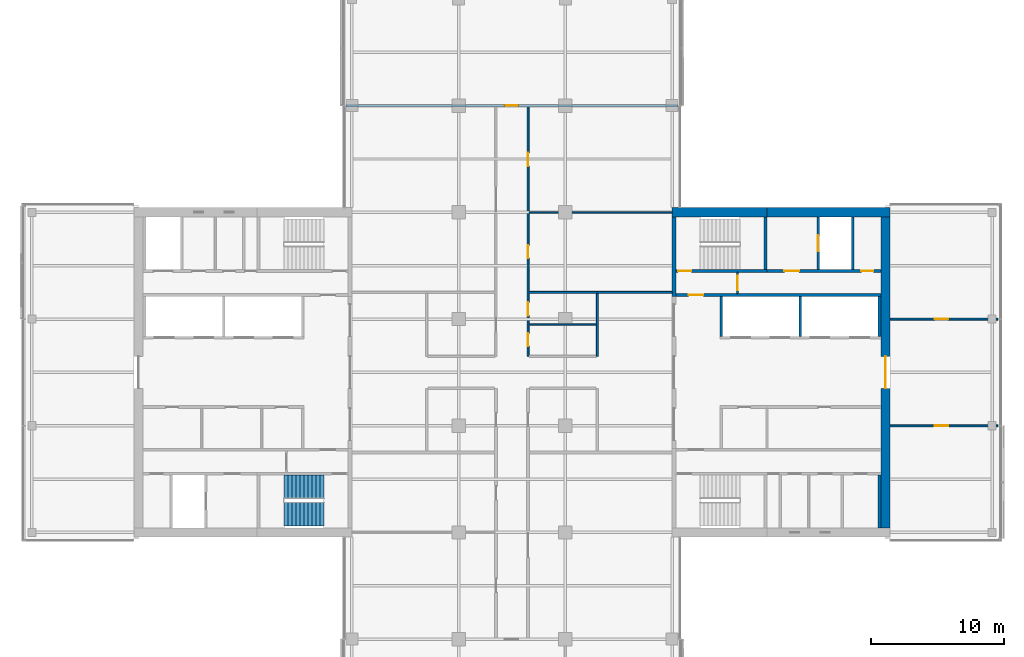
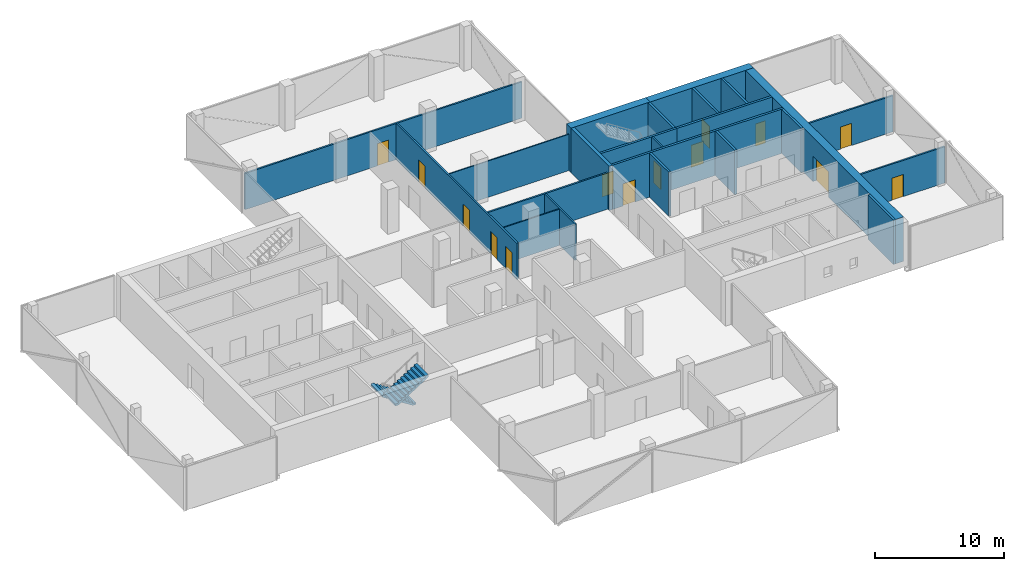
# One storey, part 16 of 22: 23 walls, 14 doors, 2 stair flights, 14 openings, 1 element without a shape of its own.
"""IFC4 building model written with IfcOpenShell, lengths in metres."""

from ifc_helpers import new_model, si_unit, direction, frame, frame_2d, origin, place, context, subcontext, project, spatial, polyline, rectangle, outline, extrude, material, layer, layer_set, constituent, constituent_set, type_object, element, fill, aggregate, save


model = new_model("IFC4")

# Units and contexts
model_context = context("Model", 3, precision=1e-05, world=origin(), true_north=direction((0.0, 1.0)))
body_context = subcontext(model_context, "Body", "Model", "MODEL_VIEW")
ifc_project = project(units=[si_unit("LENGTHUNIT", "METRE"), si_unit("AREAUNIT", "SQUARE_METRE"), si_unit("VOLUMEUNIT", "CUBIC_METRE"), si_unit("PLANEANGLEUNIT", "RADIAN"), si_unit("MASSUNIT", "GRAM", prefix="KILO")], contexts=[model_context])

# Site, building, storey
site_placement = place(None, origin())
site = spatial("IfcSite", under=ifc_project, at=site_placement, CompositionType="ELEMENT")
building_placement = place(site_placement, origin())
building = spatial("IfcBuilding", under=site, at=building_placement, Name="Crosswind Convention Tower", CompositionType="ELEMENT")
storey_placement = place(building_placement, frame((0.0, 0.0, 142.10009765625)))
storey = spatial("IfcBuildingStorey", under=building, at=storey_placement, Name="L29", CompositionType="ELEMENT", Elevation=142.10009765625)

# Wall, opening, door
ifc_material_1 = material(Name="Concrete C60/75", Category="concrete")
ifc_layer_1 = layer(ifc_material_1, 0.699951171875)
ifc_layer_set_1 = layer_set([ifc_layer_1], Name="Concrete C60/75")
wall_type_1 = type_object("IfcWallType", Name="Concrete core wall 700", PredefinedType="SHEAR", material=ifc_layer_set_1)
wall_1_placement = place(storey_placement, frame((153.0, 88.35009765625, 0.0), z_axis=(0.0, 0.0, 1.0), x_axis=(0.0, 1.0, 0.0)))
wall_1 = element("IfcWall", 1, at=wall_1_placement, inside=storey, type_object=wall_type_1, Name="Wall O E L29", PredefinedType="SHEAR", context=body_context, shape_type="SweptSolid", body=[
    extrude(rectangle(XDim=23.2998046875, YDim=0.699951171875, at=frame_2d((11.64990234375, 0.0))), origin(), (0.0, 0.0, 1.0), 4.199951171875),
])
opening_1_placement = place(wall_1_placement, frame((10.449951171875, 0.0, 0.0)))
opening_1 = element("IfcOpeningElement", 2, at=opening_1_placement, cuts=wall_1, Name="Opening D100", PredefinedType="OPENING", context=body_context, shape_type="SweptSolid", body=[
    extrude(rectangle(XDim=2.39990234375, YDim=2.39990234375, at=frame_2d((1.199951171875, 1.199951171875))), frame((0.0, 0.35986328125, 0.0), z_axis=(0.0, -1.0, 0.0), x_axis=(1.0, 0.0, 0.0)), (0.0, 0.0, 1.0), 0.719970703125),
])
ifc_material_2 = material(Name="Steel fire door with glazed vision panels", Category="steel")
door_type_1 = type_object("IfcDoorType", Name="Fire-rated double door 2400x2400", OperationType="DOUBLE_DOOR_SINGLE_SWING", PredefinedType="DOOR", material=ifc_material_2)
door_1_placement = place(opening_1_placement, origin())
door_1 = element("IfcDoor", 3, at=door_1_placement, inside=storey, type_object=door_type_1, Name="Lobby outer door L29", ObjectType="D100", OperationType="DOUBLE_DOOR_SINGLE_SWING", OverallHeight=2.39990234375, OverallWidth=2.39990234375, PredefinedType="DOOR", context=body_context, shape_type="SweptSolid", body=[
    extrude(rectangle(XDim=2.39990234375, YDim=2.39990234375, at=frame_2d((1.199951171875, 1.199951171875))), frame((0.0, 0.02490234375, 0.0), z_axis=(0.0, -1.0, 0.0), x_axis=(1.0, 0.0, 0.0)), (0.0, 0.0, 1.0), 0.050048828125),
])
fill(opening_1, door_1)

# Walls
ifc_material_3 = material(Name="Concrete C50/60", Category="concrete")
ifc_layer_2 = layer(ifc_material_3, 0.300048828125)
ifc_layer_set_2 = layer_set([ifc_layer_2], Name="Concrete C50/60")
wall_type_2 = type_object("IfcWallType", Name="Concrete inner core wall 300", PredefinedType="SHEAR", material=ifc_layer_set_2)
wall_2_placement = place(storey_placement, frame((137.14990234375, 105.699951171875, 0.0), z_axis=(0.0, 0.0, 1.0), x_axis=(0.0, 1.0, 0.0)))
element("IfcWall", 4, at=wall_2_placement, inside=storey, type_object=wall_type_2, Name="Wall EP E L29", PredefinedType="SHEAR", context=body_context, shape_type="SweptSolid", body=[
    extrude(rectangle(XDim=5.949951171875, YDim=0.300048828125, at=frame_2d((2.97509765625, 0.0))), origin(), (0.0, 0.0, 1.0), 4.199951171875),
])
ifc_layer_3 = layer(ifc_material_3, 0.199951171875)
ifc_layer_set_3 = layer_set([ifc_layer_3], Name="Concrete C50/60")
wall_type_3 = type_object("IfcWallType", Name="Concrete shaft and stair wall 200", PredefinedType="SHEAR", material=ifc_layer_set_3)
for number, where, z_axis, x_axis, name in (
    (5, (140.699951171875, 102.699951171875, 0.0), (0.0, 0.0, 1.0), (0.0, 1.0, 0.0), "Wall RPEND E L29"),
    (6, (146.60009765625, 102.699951171875, 0.0), (0.0, 0.0, 1.0), (0.0, 1.0, 0.0), "Wall RPSEP E L29"),
    (7, (152.550048828125, 102.699951171875, 0.0), (0.0, 0.0, 1.0), (0.0, 1.0, 0.0), "Wall RPEAST E L29"),
):
    element("IfcWall", number, at=place(storey_placement, frame(where, z_axis=z_axis, x_axis=x_axis)), inside=storey, type_object=wall_type_3, Name=name, PredefinedType="SHEAR", context=body_context, shape_type="SweptSolid", body=[
        extrude(rectangle(XDim=3.0, YDim=0.199951171875, at=frame_2d((1.5, 0.0))), origin(), (0.0, 0.0, 1.0), 4.199951171875),
    ])

# Wall, opening, door
wall_3_placement = place(storey_placement, frame((137.300048828125, 105.800048828125, 0.0), z_axis=(0.0, 0.0, 1.0), x_axis=(1.0, 0.0, 0.0)))
wall_3 = element("IfcWall", 8, at=wall_3_placement, inside=storey, type_object=wall_type_3, Name="Wall HP E L29", PredefinedType="SHEAR", context=body_context, shape_type="SweptSolid", body=[
    extrude(rectangle(XDim=15.349853515625, YDim=0.199951171875, at=frame_2d((7.6748046875, 0.0))), origin(), (0.0, 0.0, 1.0), 4.199951171875),
])
opening_2_placement = place(wall_3_placement, frame((0.949951171875, 0.0, 0.0)))
opening_2 = element("IfcOpeningElement", 9, at=opening_2_placement, cuts=wall_3, Name="Opening D104", PredefinedType="OPENING", context=body_context, shape_type="SweptSolid", body=[
    extrude(rectangle(XDim=1.10009765625, YDim=2.10009765625, at=frame_2d((0.550048828125, 1.050048828125))), frame((0.0, 0.10986328125, 0.0), z_axis=(0.0, -1.0, 0.0), x_axis=(1.0, 0.0, 0.0)), (0.0, 0.0, 1.0), 0.219970703125),
])
ifc_material_4 = material(Name="Steel fire door", Category="steel")
door_type_2 = type_object("IfcDoorType", Name="Fire-rated single door 1100x2100", OperationType="NOTDEFINED", PredefinedType="DOOR", material=ifc_material_4)
door_2_placement = place(opening_2_placement, origin())
door_2 = element("IfcDoor", 10, at=door_2_placement, inside=storey, type_object=door_type_2, Name="Corridor door L29", ObjectType="D104", OperationType="SINGLE_SWING_LEFT", OverallHeight=2.10009765625, OverallWidth=1.10009765625, PredefinedType="DOOR", context=body_context, shape_type="SweptSolid", body=[
    extrude(rectangle(XDim=1.10009765625, YDim=2.10009765625, at=frame_2d((0.550048828125, 1.050048828125))), frame((0.0, 0.02490234375, 0.0), z_axis=(0.0, -1.0, 0.0), x_axis=(1.0, 0.0, 0.0)), (0.0, 0.0, 1.0), 0.050048828125),
])
fill(opening_2, door_2)

# Wall
wall_4_placement = place(storey_placement, frame((144.0, 107.699951171875, 0.0), z_axis=(0.0, 0.0, 1.0), x_axis=(0.0, 1.0, 0.0)))
element("IfcWall", 11, at=wall_4_placement, inside=storey, type_object=wall_type_3, Name="Wall PSE E L29", PredefinedType="SHEAR", context=body_context, shape_type="SweptSolid", body=[
    extrude(rectangle(XDim=3.949951171875, YDim=0.199951171875, at=frame_2d((1.97509765625, 0.0))), origin(), (0.0, 0.0, 1.0), 4.199951171875),
])

# Wall, opening, door
wall_5_placement = place(storey_placement, frame((147.949951171875, 107.699951171875, 0.0), z_axis=(0.0, 0.0, 1.0), x_axis=(0.0, 1.0, 0.0)))
wall_5 = element("IfcWall", 12, at=wall_5_placement, inside=storey, type_object=wall_type_3, Name="Wall PFLW E L29", PredefinedType="SHEAR", context=body_context, shape_type="SweptSolid", body=[
    extrude(rectangle(XDim=3.949951171875, YDim=0.199951171875, at=frame_2d((1.97509765625, 0.0))), origin(), (0.0, 0.0, 1.0), 4.199951171875),
])
opening_3_placement = place(wall_5_placement, frame((1.375, 0.0, 0.0)))
opening_3 = element("IfcOpeningElement", 13, at=opening_3_placement, cuts=wall_5, Name="Opening LD1", PredefinedType="OPENING", context=body_context, shape_type="SweptSolid", body=[
    extrude(rectangle(XDim=1.199951171875, YDim=2.10009765625, at=frame_2d((0.60009765625, 1.050048828125))), frame((0.0, 0.10986328125, 0.0), z_axis=(0.0, -1.0, 0.0), x_axis=(1.0, 0.0, 0.0)), (0.0, 0.0, 1.0), 0.219970703125),
])
ifc_material_5 = material(Name="Stainless steel", Category="steel")
door_type_3 = type_object("IfcDoorType", Name="Lift landing door 1200x2100", OperationType="DOUBLE_DOOR_SLIDING", PredefinedType="DOOR", material=ifc_material_5)
door_3_placement = place(opening_3_placement, origin())
door_3 = element("IfcDoor", 14, at=door_3_placement, inside=storey, type_object=door_type_3, Name="Landing door FF1 L29", ObjectType="LD1", OperationType="DOUBLE_DOOR_SLIDING", OverallHeight=2.10009765625, OverallWidth=1.199951171875, PredefinedType="DOOR", context=body_context, shape_type="SweptSolid", body=[
    extrude(rectangle(XDim=1.199951171875, YDim=2.10009765625, at=frame_2d((0.60009765625, 1.050048828125))), frame((0.0, 0.02490234375, 0.0), z_axis=(0.0, -1.0, 0.0), x_axis=(1.0, 0.0, 0.0)), (0.0, 0.0, 1.0), 0.050048828125),
])
fill(opening_3, door_3)

# Wall
wall_6_placement = place(storey_placement, frame((150.550048828125, 107.699951171875, 0.0), z_axis=(0.0, 0.0, 1.0), x_axis=(0.0, 1.0, 0.0)))
element("IfcWall", 15, at=wall_6_placement, inside=storey, type_object=wall_type_3, Name="Wall PFSE E L29", PredefinedType="SHEAR", context=body_context, shape_type="SweptSolid", body=[
    extrude(rectangle(XDim=3.949951171875, YDim=0.199951171875, at=frame_2d((1.97509765625, 0.0))), origin(), (0.0, 0.0, 1.0), 4.199951171875),
])

# Wall, opening, door
wall_7_placement = place(storey_placement, frame((137.300048828125, 107.60009765625, 0.0), z_axis=(0.0, 0.0, 1.0), x_axis=(1.0, 0.0, 0.0)))
wall_7 = element("IfcWall", 16, at=wall_7_placement, inside=storey, type_object=wall_type_3, Name="Wall PCW E L29", PredefinedType="SHEAR", context=body_context, shape_type="SweptSolid", body=[
    extrude(rectangle(XDim=6.800048828125, YDim=0.199951171875, at=frame_2d((3.39990234375, 0.0))), origin(), (0.0, 0.0, 1.0), 4.199951171875),
])
opening_4_placement = place(wall_7_placement, frame((0.14990234375, 0.0, 0.0)))
opening_4 = element("IfcOpeningElement", 17, at=opening_4_placement, cuts=wall_7, Name="Opening D103", PredefinedType="OPENING", context=body_context, shape_type="SweptSolid", body=[
    extrude(rectangle(XDim=1.0, YDim=2.10009765625, at=frame_2d((0.5, 1.050048828125))), frame((0.0, 0.10986328125, 0.0), z_axis=(0.0, -1.0, 0.0), x_axis=(1.0, 0.0, 0.0)), (0.0, 0.0, 1.0), 0.219970703125),
])
door_type_4 = type_object("IfcDoorType", Name="Fire-rated single door 1000x2100", OperationType="NOTDEFINED", PredefinedType="DOOR", material=ifc_material_4)
door_4_placement = place(opening_4_placement, origin())
door_4 = element("IfcDoor", 18, at=door_4_placement, inside=storey, type_object=door_type_4, Name="Stair ST1 door L29", ObjectType="D103", OperationType="SINGLE_SWING_LEFT", OverallHeight=2.10009765625, OverallWidth=1.0, PredefinedType="DOOR", context=body_context, shape_type="SweptSolid", body=[
    extrude(rectangle(XDim=1.0, YDim=2.10009765625, at=frame_2d((0.5, 1.050048828125))), frame((0.0, 0.02490234375, 0.0), z_axis=(0.0, -1.0, 0.0), x_axis=(1.0, 0.0, 0.0)), (0.0, 0.0, 1.0), 0.050048828125),
])
fill(opening_4, door_4)

# Wall, openings, doors
wall_8_placement = place(storey_placement, frame((144.10009765625, 107.60009765625, 0.0), z_axis=(0.0, 0.0, 1.0), x_axis=(1.0, 0.0, 0.0)))
wall_8 = element("IfcWall", 19, at=wall_8_placement, inside=storey, type_object=wall_type_3, Name="Wall PCX E L29", PredefinedType="SHEAR", context=body_context, shape_type="SweptSolid", body=[
    extrude(rectangle(XDim=8.5498046875, YDim=0.199951171875, at=frame_2d((4.27490234375, 0.0))), origin(), (0.0, 0.0, 1.0), 4.199951171875),
])
opening_5_placement = place(wall_8_placement, frame((1.324951171875, 0.0, 0.0)))
opening_5 = element("IfcOpeningElement", 20, at=opening_5_placement, cuts=wall_8, Name="Opening D104", PredefinedType="OPENING", context=body_context, shape_type="SweptSolid", body=[
    extrude(rectangle(XDim=1.10009765625, YDim=2.10009765625, at=frame_2d((0.550048828125, 1.050048828125))), frame((0.0, 0.10986328125, 0.0), z_axis=(0.0, -1.0, 0.0), x_axis=(1.0, 0.0, 0.0)), (0.0, 0.0, 1.0), 0.219970703125),
])
opening_6_placement = place(wall_8_placement, frame((7.10009765625, 0.0, 0.0)))
opening_6 = element("IfcOpeningElement", 21, at=opening_6_placement, cuts=wall_8, Name="Opening D106", PredefinedType="OPENING", context=body_context, shape_type="SweptSolid", body=[
    extrude(rectangle(XDim=0.89990234375, YDim=2.10009765625, at=frame_2d((0.449951171875, 1.050048828125))), frame((0.0, 0.10986328125, 0.0), z_axis=(0.0, -1.0, 0.0), x_axis=(1.0, 0.0, 0.0)), (0.0, 0.0, 1.0), 0.219970703125),
])
door_5_placement = place(opening_5_placement, origin())
door_5 = element("IfcDoor", 22, at=door_5_placement, inside=storey, type_object=door_type_2, Name="Fire-fighting lobby FF1 door L29", ObjectType="D104", OperationType="SINGLE_SWING_RIGHT", OverallHeight=2.10009765625, OverallWidth=1.10009765625, PredefinedType="DOOR", context=body_context, shape_type="SweptSolid", body=[
    extrude(rectangle(XDim=1.10009765625, YDim=2.10009765625, at=frame_2d((0.550048828125, 1.050048828125))), frame((0.0, 0.02490234375, 0.0), z_axis=(0.0, -1.0, 0.0), x_axis=(1.0, 0.0, 0.0)), (0.0, 0.0, 1.0), 0.050048828125),
])
fill(opening_5, door_5)
ifc_material_6 = material(Name="Timber door", Category="wood")
door_type_5 = type_object("IfcDoorType", Name="Single leaf door 900x2100", OperationType="NOTDEFINED", PredefinedType="DOOR", material=ifc_material_6)
door_6_placement = place(opening_6_placement, origin())
door_6 = element("IfcDoor", 23, at=door_6_placement, inside=storey, type_object=door_type_5, Name="Door to cleaners' store L29", ObjectType="D106", OperationType="SINGLE_SWING_RIGHT", OverallHeight=2.10009765625, OverallWidth=0.89990234375, PredefinedType="DOOR", context=body_context, shape_type="SweptSolid", body=[
    extrude(rectangle(XDim=0.89990234375, YDim=2.10009765625, at=frame_2d((0.449951171875, 1.050048828125))), frame((0.0, 0.02490234375, 0.0), z_axis=(0.0, -1.0, 0.0), x_axis=(1.0, 0.0, 0.0)), (0.0, 0.0, 1.0), 0.050048828125),
])
fill(opening_6, door_6)

# Wall
wall_9_placement = place(storey_placement, frame((152.550048828125, 88.35009765625, 0.0), z_axis=(0.0, 0.0, 1.0), x_axis=(0.0, 1.0, 0.0)))
element("IfcWall", 24, at=wall_9_placement, inside=storey, type_object=wall_type_3, Name="Wall MFSE E L29", PredefinedType="SHEAR", context=body_context, shape_type="SweptSolid", body=[
    extrude(rectangle(XDim=3.949951171875, YDim=0.199951171875, at=frame_2d((1.97509765625, 0.0))), origin(), (0.0, 0.0, 1.0), 4.199951171875),
])

# Wall, opening, door
ifc_material_7 = material(Name="Gypsum plasterboard partition", Category="gypsum")
ifc_layer_4 = layer(ifc_material_7, 0.125)
ifc_layer_set_4 = layer_set([ifc_layer_4], Name="Drywall partition wall 125")
wall_type_4 = type_object("IfcWallType", Name="Drywall partition wall 125", PredefinedType="PARTITIONING", material=ifc_layer_set_4)
wall_10_placement = place(storey_placement, frame((141.89990234375, 105.89990234375, 0.0), z_axis=(0.0, 0.0, 1.0), x_axis=(0.0, 1.0, 0.0)))
wall_10 = element("IfcWall", 25, at=wall_10_placement, inside=storey, type_object=wall_type_4, Name="Wall PXC1 E L29", PredefinedType="PARTITIONING", context=body_context, shape_type="SweptSolid", body=[
    extrude(rectangle(XDim=1.60009765625, YDim=0.125, at=frame_2d((0.800048828125, 0.0))), origin(), (0.0, 0.0, 1.0), 4.199951171875),
])
opening_7_placement = place(wall_10_placement, frame((0.25, 0.0, 0.0)))
opening_7 = element("IfcOpeningElement", 26, at=opening_7_placement, cuts=wall_10, Name="Opening D104", PredefinedType="OPENING", context=body_context, shape_type="SweptSolid", body=[
    extrude(rectangle(XDim=1.10009765625, YDim=2.10009765625, at=frame_2d((0.550048828125, 1.050048828125))), frame((0.0, 0.072509765625, 0.0), z_axis=(0.0, -1.0, 0.0), x_axis=(1.0, 0.0, 0.0)), (0.0, 0.0, 1.0), 0.14501953125),
])
door_7_placement = place(opening_7_placement, origin())
door_7 = element("IfcDoor", 27, at=door_7_placement, inside=storey, type_object=door_type_2, Name="Corridor smoke door L29", ObjectType="D104", OperationType="SINGLE_SWING_RIGHT", OverallHeight=2.10009765625, OverallWidth=1.10009765625, PredefinedType="DOOR", context=body_context, shape_type="SweptSolid", body=[
    extrude(rectangle(XDim=1.10009765625, YDim=2.10009765625, at=frame_2d((0.550048828125, 1.050048828125))), frame((0.0, 0.02490234375, 0.0), z_axis=(0.0, -1.0, 0.0), x_axis=(1.0, 0.0, 0.0)), (0.0, 0.0, 1.0), 0.050048828125),
])
fill(opening_7, door_7)

# Walls
ifc_material_8 = material(Name="Plasterboard partition", Category="gypsum")
ifc_layer_5 = layer(ifc_material_8, 0.10009765625)
ifc_layer_set_5 = layer_set([ifc_layer_5], Name="PARTITION 100 METAL STUD")
wall_type_5 = type_object("IfcWallType", Name="PARTITION 100 METAL STUD", PredefinedType="PARTITIONING", material=ifc_layer_set_5)
wall_11_placement = place(storey_placement, frame((126.27490234375, 103.60009765625, 0.0), z_axis=(0.0, 0.0, 1.0), x_axis=(1.0, 0.0, 0.0)))
element("IfcWall", 28, at=wall_11_placement, inside=storey, type_object=wall_type_5, Name="Partition wall WT40", PredefinedType="PARTITIONING", context=body_context, shape_type="SweptSolid", body=[
    extrude(rectangle(XDim=5.050048828125, YDim=0.10009765625, at=frame_2d((2.52490234375, 0.0))), origin(), (0.0, 0.0, 1.0), 3.436279296875),
])
wall_12_placement = place(storey_placement, frame((126.27490234375, 112.0, 0.0), z_axis=(0.0, 0.0, 1.0), x_axis=(1.0, 0.0, 0.0)))
element("IfcWall", 29, at=wall_12_placement, inside=storey, type_object=wall_type_5, Name="Partition wall WT40", PredefinedType="PARTITIONING", context=body_context, shape_type="SweptSolid", body=[
    extrude(rectangle(XDim=10.72509765625, YDim=0.10009765625, at=frame_2d((5.362548828125, 0.0))), origin(), (0.0, 0.0, 1.0), 3.436279296875),
])

# Wall, openings, doors
ifc_material_9 = material(Name="Fire-board partition with mineral wool", Category="gypsum")
ifc_layer_6 = layer(ifc_material_9, 0.14990234375)
ifc_layer_set_6 = layer_set([ifc_layer_6], Name="TENANCY WALL 150 TWO-HOUR BOARD")
wall_type_6 = type_object("IfcWallType", Name="TENANCY WALL 150 TWO-HOUR BOARD", PredefinedType="PARTITIONING", material=ifc_layer_set_6)
wall_13_placement = place(storey_placement, frame((126.199951171875, 101.199951171875, 0.0), z_axis=(0.0, 0.0, 1.0), x_axis=(0.0, 1.0, 0.0)))
wall_13 = element("IfcWall", 30, at=wall_13_placement, inside=storey, type_object=wall_type_6, Name="Tenancy wall WT41", PredefinedType="PARTITIONING", context=body_context, shape_type="SweptSolid", body=[
    extrude(rectangle(XDim=18.72509765625, YDim=0.14990234375, at=frame_2d((9.362548828125, 0.0))), origin(), (0.0, 0.0, 1.0), 3.436279296875),
])
opening_8_placement = place(wall_13_placement, frame((0.75, 0.0, 0.0)))
opening_8 = element("IfcOpeningElement", 31, at=opening_8_placement, cuts=wall_13, Name="Opening L29-50", PredefinedType="OPENING", context=body_context, shape_type="SweptSolid", body=[
    extrude(rectangle(XDim=1.0, YDim=2.10009765625, at=frame_2d((0.5, 1.050048828125))), frame((0.0, 0.0849609375, 0.0), z_axis=(0.0, -1.0, 0.0), x_axis=(1.0, 0.0, 0.0)), (0.0, 0.0, 1.0), 0.169921875),
])
opening_9_placement = place(wall_13_placement, frame((3.050048828125, 0.0, 0.0)))
opening_9 = element("IfcOpeningElement", 32, at=opening_9_placement, cuts=wall_13, Name="Opening L29-51", PredefinedType="OPENING", context=body_context, shape_type="SweptSolid", body=[
    extrude(rectangle(XDim=1.0, YDim=2.10009765625, at=frame_2d((0.5, 1.050048828125))), frame((0.0, 0.0849609375, 0.0), z_axis=(0.0, -1.0, 0.0), x_axis=(1.0, 0.0, 0.0)), (0.0, 0.0, 1.0), 0.169921875),
])
opening_10_placement = place(wall_13_placement, frame((7.35009765625, 0.0, 0.0)))
opening_10 = element("IfcOpeningElement", 33, at=opening_10_placement, cuts=wall_13, Name="Opening L29-52", PredefinedType="OPENING", context=body_context, shape_type="SweptSolid", body=[
    extrude(rectangle(XDim=1.0, YDim=2.10009765625, at=frame_2d((0.5, 1.050048828125))), frame((0.0, 0.0849609375, 0.0), z_axis=(0.0, -1.0, 0.0), x_axis=(1.0, 0.0, 0.0)), (0.0, 0.0, 1.0), 0.169921875),
])
opening_11_placement = place(wall_13_placement, frame((14.25, 0.0, 0.0)))
opening_11 = element("IfcOpeningElement", 34, at=opening_11_placement, cuts=wall_13, Name="Opening L29-53", PredefinedType="OPENING", context=body_context, shape_type="SweptSolid", body=[
    extrude(rectangle(XDim=1.0, YDim=2.10009765625, at=frame_2d((0.5, 1.050048828125))), frame((0.0, 0.0849609375, 0.0), z_axis=(0.0, -1.0, 0.0), x_axis=(1.0, 0.0, 0.0)), (0.0, 0.0, 1.0), 0.169921875),
])
ifc_material_10 = material(Name="Timber fire door", Category="wood")
door_type_6 = type_object("IfcDoorType", Name="TENANCY ENTRANCE DOOR 1000X2100 FD30S", OperationType="NOTDEFINED", PredefinedType="DOOR", material=ifc_material_10)
door_8_placement = place(opening_8_placement, frame((1.0, 0.0, 0.0), z_axis=(0.0, 0.0, 1.0), x_axis=(-1.0, 0.0, 0.0)))
door_8 = element("IfcDoor", 35, at=door_8_placement, inside=storey, type_object=door_type_6, Name="Door L29-50", ObjectType="D41", OperationType="SINGLE_SWING_LEFT", OverallHeight=2.10009765625, OverallWidth=1.0, PredefinedType="DOOR", context=body_context, shape_type="SweptSolid", body=[
    extrude(rectangle(XDim=1.0, YDim=2.10009765625, at=frame_2d((0.5, 1.050048828125))), frame((0.0, 0.02490234375, 0.0), z_axis=(0.0, -1.0, 0.0), x_axis=(1.0, 0.0, 0.0)), (0.0, 0.0, 1.0), 0.050048828125),
])
fill(opening_8, door_8)
door_9_placement = place(opening_9_placement, frame((1.0, 0.0, 0.0), z_axis=(0.0, 0.0, 1.0), x_axis=(-1.0, 0.0, 0.0)))
door_9 = element("IfcDoor", 36, at=door_9_placement, inside=storey, type_object=door_type_6, Name="Door L29-51", ObjectType="D41", OperationType="SINGLE_SWING_RIGHT", OverallHeight=2.10009765625, OverallWidth=1.0, PredefinedType="DOOR", context=body_context, shape_type="SweptSolid", body=[
    extrude(rectangle(XDim=1.0, YDim=2.10009765625, at=frame_2d((0.5, 1.050048828125))), frame((0.0, 0.02490234375, 0.0), z_axis=(0.0, -1.0, 0.0), x_axis=(1.0, 0.0, 0.0)), (0.0, 0.0, 1.0), 0.050048828125),
])
fill(opening_9, door_9)
door_10_placement = place(opening_10_placement, frame((1.0, 0.0, 0.0), z_axis=(0.0, 0.0, 1.0), x_axis=(-1.0, 0.0, 0.0)))
door_10 = element("IfcDoor", 37, at=door_10_placement, inside=storey, type_object=door_type_6, Name="Door L29-52", ObjectType="D41", OperationType="SINGLE_SWING_LEFT", OverallHeight=2.10009765625, OverallWidth=1.0, PredefinedType="DOOR", context=body_context, shape_type="SweptSolid", body=[
    extrude(rectangle(XDim=1.0, YDim=2.10009765625, at=frame_2d((0.5, 1.050048828125))), frame((0.0, 0.02490234375, 0.0), z_axis=(0.0, -1.0, 0.0), x_axis=(1.0, 0.0, 0.0)), (0.0, 0.0, 1.0), 0.050048828125),
])
fill(opening_10, door_10)
door_11_placement = place(opening_11_placement, frame((1.0, 0.0, 0.0), z_axis=(0.0, 0.0, 1.0), x_axis=(-1.0, 0.0, 0.0)))
door_11 = element("IfcDoor", 38, at=door_11_placement, inside=storey, type_object=door_type_6, Name="Door L29-53", ObjectType="D41", OperationType="SINGLE_SWING_RIGHT", OverallHeight=2.10009765625, OverallWidth=1.0, PredefinedType="DOOR", context=body_context, shape_type="SweptSolid", body=[
    extrude(rectangle(XDim=1.0, YDim=2.10009765625, at=frame_2d((0.5, 1.050048828125))), frame((0.0, 0.02490234375, 0.0), z_axis=(0.0, -1.0, 0.0), x_axis=(1.0, 0.0, 0.0)), (0.0, 0.0, 1.0), 0.050048828125),
])
fill(opening_11, door_11)

# Wall
wall_14_placement = place(storey_placement, frame((131.39990234375, 101.199951171875, 0.0), z_axis=(0.0, 0.0, 1.0), x_axis=(0.0, 1.0, 0.0)))
element("IfcWall", 39, at=wall_14_placement, inside=storey, type_object=wall_type_6, Name="Tenancy wall WT41", PredefinedType="PARTITIONING", context=body_context, shape_type="SweptSolid", body=[
    extrude(rectangle(XDim=4.72509765625, YDim=0.14990234375, at=frame_2d((2.362548828125, 0.0))), origin(), (0.0, 0.0, 1.0), 3.436279296875),
])

# Wall, opening, door
wall_15_placement = place(storey_placement, frame((153.35009765625, 96.0, 0.0), z_axis=(0.0, 0.0, 1.0), x_axis=(1.0, 0.0, 0.0)))
wall_15 = element("IfcWall", 40, at=wall_15_placement, inside=storey, type_object=wall_type_6, Name="Tenancy wall WT41", PredefinedType="PARTITIONING", context=body_context, shape_type="SweptSolid", body=[
    extrude(rectangle(XDim=8.06982421875, YDim=0.14990234375, at=frame_2d((4.034912109375, 0.0))), origin(), (0.0, 0.0, 1.0), 3.436279296875),
])
opening_12_placement = place(wall_15_placement, frame((3.35009765625, 0.0, 0.0)))
opening_12 = element("IfcOpeningElement", 41, at=opening_12_placement, cuts=wall_15, Name="Opening L29-65", PredefinedType="OPENING", context=body_context, shape_type="SweptSolid", body=[
    extrude(rectangle(XDim=1.0, YDim=2.10009765625, at=frame_2d((0.5, 1.050048828125))), frame((0.0, 0.0849609375, 0.0), z_axis=(0.0, -1.0, 0.0), x_axis=(1.0, 0.0, 0.0)), (0.0, 0.0, 1.0), 0.169921875),
])
door_12_placement = place(opening_12_placement, frame((1.0, 0.0, 0.0), z_axis=(0.0, 0.0, 1.0), x_axis=(-1.0, 0.0, 0.0)))
door_12 = element("IfcDoor", 42, at=door_12_placement, inside=storey, type_object=door_type_6, Name="Door L29-65", ObjectType="D41", OperationType="SINGLE_SWING_LEFT", OverallHeight=2.10009765625, OverallWidth=1.0, PredefinedType="DOOR", context=body_context, shape_type="SweptSolid", body=[
    extrude(rectangle(XDim=1.0, YDim=2.10009765625, at=frame_2d((0.5, 1.050048828125))), frame((0.0, 0.02490234375, 0.0), z_axis=(0.0, -1.0, 0.0), x_axis=(1.0, 0.0, 0.0)), (0.0, 0.0, 1.0), 0.050048828125),
])
fill(opening_12, door_12)

wall_16_placement = place(storey_placement, frame((153.35009765625, 104.0, 0.0), z_axis=(0.0, 0.0, 1.0), x_axis=(1.0, 0.0, 0.0)))
wall_16 = element("IfcWall", 43, at=wall_16_placement, inside=storey, type_object=wall_type_6, Name="Tenancy wall WT41", PredefinedType="PARTITIONING", context=body_context, shape_type="SweptSolid", body=[
    extrude(rectangle(XDim=8.06982421875, YDim=0.14990234375, at=frame_2d((4.034912109375, 0.0))), origin(), (0.0, 0.0, 1.0), 3.436279296875),
])
opening_13_placement = place(wall_16_placement, frame((3.35009765625, 0.0, 0.0)))
opening_13 = element("IfcOpeningElement", 44, at=opening_13_placement, cuts=wall_16, Name="Opening L29-64", PredefinedType="OPENING", context=body_context, shape_type="SweptSolid", body=[
    extrude(rectangle(XDim=1.0, YDim=2.10009765625, at=frame_2d((0.5, 1.050048828125))), frame((0.0, 0.0849609375, 0.0), z_axis=(0.0, -1.0, 0.0), x_axis=(1.0, 0.0, 0.0)), (0.0, 0.0, 1.0), 0.169921875),
])
door_13_placement = place(opening_13_placement, origin())
door_13 = element("IfcDoor", 45, at=door_13_placement, inside=storey, type_object=door_type_6, Name="Door L29-64", ObjectType="D41", OperationType="SINGLE_SWING_RIGHT", OverallHeight=2.10009765625, OverallWidth=1.0, PredefinedType="DOOR", context=body_context, shape_type="SweptSolid", body=[
    extrude(rectangle(XDim=1.0, YDim=2.10009765625, at=frame_2d((0.5, 1.050048828125))), frame((0.0, 0.02490234375, 0.0), z_axis=(0.0, -1.0, 0.0), x_axis=(1.0, 0.0, 0.0)), (0.0, 0.0, 1.0), 0.050048828125),
])
fill(opening_13, door_13)

# Wall
wall_17_placement = place(storey_placement, frame((126.27490234375, 106.0, 0.0), z_axis=(0.0, 0.0, 1.0), x_axis=(1.0, 0.0, 0.0)))
element("IfcWall", 46, at=wall_17_placement, inside=storey, type_object=wall_type_6, Name="Tenancy wall WT41", PredefinedType="PARTITIONING", context=body_context, shape_type="SweptSolid", body=[
    extrude(rectangle(XDim=10.72509765625, YDim=0.14990234375, at=frame_2d((5.362548828125, 0.0))), origin(), (0.0, 0.0, 1.0), 3.436279296875),
])

# Wall, opening, door
wall_18_placement = place(storey_placement, frame((112.580078125, 120.0, 0.0), z_axis=(0.0, 0.0, 1.0), x_axis=(1.0, 0.0, 0.0)))
wall_18 = element("IfcWall", 47, at=wall_18_placement, inside=storey, type_object=wall_type_6, Name="Tenancy wall WT41", PredefinedType="PARTITIONING", context=body_context, shape_type="SweptSolid", body=[
    extrude(rectangle(XDim=24.83984375, YDim=0.14990234375, at=frame_2d((12.419921875, 0.0))), origin(), (0.0, 0.0, 1.0), 3.436279296875),
])
opening_14_placement = place(wall_18_placement, frame((11.8701171875, 0.0, 0.0)))
opening_14 = element("IfcOpeningElement", 48, at=opening_14_placement, cuts=wall_18, Name="Opening L29-61", PredefinedType="OPENING", context=body_context, shape_type="SweptSolid", body=[
    extrude(rectangle(XDim=1.0, YDim=2.10009765625, at=frame_2d((0.5, 1.050048828125))), frame((0.0, 0.0849609375, 0.0), z_axis=(0.0, -1.0, 0.0), x_axis=(1.0, 0.0, 0.0)), (0.0, 0.0, 1.0), 0.169921875),
])
door_14_placement = place(opening_14_placement, origin())
door_14 = element("IfcDoor", 49, at=door_14_placement, inside=storey, type_object=door_type_6, Name="Door L29-61", ObjectType="D41", OperationType="SINGLE_SWING_LEFT", OverallHeight=2.10009765625, OverallWidth=1.0, PredefinedType="DOOR", context=body_context, shape_type="SweptSolid", body=[
    extrude(rectangle(XDim=1.0, YDim=2.10009765625, at=frame_2d((0.5, 1.050048828125))), frame((0.0, 0.02490234375, 0.0), z_axis=(0.0, -1.0, 0.0), x_axis=(1.0, 0.0, 0.0)), (0.0, 0.0, 1.0), 0.050048828125),
])
fill(opening_14, door_14)

# Walls
ifc_constituent_1 = constituent(ifc_material_1, Name="Structure")
ifc_material_11 = material(Name="Terracotta rainscreen", Category="ceramic")
ifc_constituent_2 = constituent(ifc_material_11, Name="Facing")
ifc_constituent_set = constituent_set(constituents=[ifc_constituent_1, ifc_constituent_2], Name="Concrete C60/75, Terracotta rainscreen")
wall_type_7 = type_object("IfcWallType", Name="Terracotta rainscreen on concrete core wall 700", PredefinedType="SHEAR", material=ifc_constituent_set)
wall_19_placement = place(storey_placement, frame((137.0, 112.0, 0.0), z_axis=(0.0, 0.0, 1.0), x_axis=(1.0, 0.0, 0.0)))
element("IfcWall", 50, at=wall_19_placement, inside=storey, type_object=wall_type_7, Name="Wall N1 E L29", PredefinedType="SHEAR", context=body_context, shape_type="SweptSolid", body=[
    extrude(rectangle(XDim=7.10009765625, YDim=0.699951171875, at=frame_2d((3.550048828125, 0.0))), origin(), (0.0, 0.0, 1.0), 4.199951171875),
])
wall_20_placement = place(storey_placement, frame((144.10009765625, 112.0, 0.0), z_axis=(0.0, 0.0, 1.0), x_axis=(1.0, 0.0, 0.0)))
element("IfcWall", 51, at=wall_20_placement, inside=storey, type_object=wall_type_7, Name="Wall N2 E L29", PredefinedType="SHEAR", context=body_context, shape_type="SweptSolid", body=[
    extrude(rectangle(XDim=9.25, YDim=0.699951171875, at=frame_2d((4.625, 0.0))), origin(), (0.0, 0.0, 1.0), 4.199951171875),
])

# Stair, stair flights
ifc_material_12 = material(Name="Concrete C40/50", Category="concrete")
stair_type = type_object("IfcStairType", Name="Exit stair 1800 wide, 2 flights of 11 risers", PredefinedType="HALF_TURN_STAIR", material=ifc_material_12)
stair_placement = place(storey_placement, origin())
stair = element("IfcStair", 52, at=stair_placement, inside=storey, type_object=stair_type, Name="Exit stair ST3 L29", ObjectType="ST5", PredefinedType="HALF_TURN_STAIR")
stair_flight_type = type_object("IfcStairFlightType", Name="Stair flight 1800 wide, 11 risers (SF4)", PredefinedType="STRAIGHT", material=ifc_material_12)
stair_flight_1_placement = place(storey_placement, frame((110.89990234375, 91.39990234375, 0.0), z_axis=(0.0, 0.0, 1.0), x_axis=(-1.0, 0.0, 0.0)))
stair_flight_1 = element("IfcStairFlight", 53, at=stair_flight_1_placement, type_object=stair_flight_type, Name="ST3 flight 1", NumberOfRisers=11, NumberOfTreads=10, PredefinedType="STRAIGHT", RiserHeight=0.190909091, TreadLength=0.3, context=body_context, shape_type="SweptSolid", body=[
    extrude(outline(polyline([(0.0, 0.0), (0.0, 0.19091796875), (0.300048828125, 0.19091796875), (0.300048828125, 0.3818359375), (0.60009765625, 0.3818359375), (0.60009765625, 0.57275390625), (0.89990234375, 0.57275390625), (0.89990234375, 0.763671875), (1.199951171875, 0.763671875), (1.199951171875, 0.95458984375), (1.5, 0.95458984375), (1.5, 1.1455078125), (1.800048828125, 1.1455078125), (1.800048828125, 1.33642578125), (2.10009765625, 1.33642578125), (2.10009765625, 1.52734375), (2.39990234375, 1.52734375), (2.39990234375, 1.71826171875), (2.699951171875, 1.71826171875), (2.699951171875, 1.9091796875), (3.0, 1.9091796875), (3.0, 2.10009765625), (3.0, 1.7314453125), (0.279296875, 0.0), (0.0, 0.0)])), frame((0.0, 0.89990234375, 0.0), z_axis=(0.0, -1.0, 0.0), x_axis=(1.0, 0.0, 0.0)), (0.0, 0.0, 1.0), 1.800048828125),
])
stair_flight_2_placement = place(storey_placement, frame((107.89990234375, 89.39990234375, 2.099853515625), z_axis=(0.0, 0.0, 1.0), x_axis=(1.0, 0.0, 0.0)))
stair_flight_2 = element("IfcStairFlight", 54, at=stair_flight_2_placement, type_object=stair_flight_type, Name="ST3 flight 2", NumberOfRisers=11, NumberOfTreads=10, PredefinedType="STRAIGHT", RiserHeight=0.190909091, TreadLength=0.3, context=body_context, shape_type="SweptSolid", body=[
    extrude(outline(polyline([(0.0, 0.0), (0.0, 0.19091796875), (0.300048828125, 0.19091796875), (0.300048828125, 0.3818359375), (0.60009765625, 0.3818359375), (0.60009765625, 0.57275390625), (0.89990234375, 0.57275390625), (0.89990234375, 0.763671875), (1.199951171875, 0.763671875), (1.199951171875, 0.95458984375), (1.5, 0.95458984375), (1.5, 1.1455078125), (1.800048828125, 1.1455078125), (1.800048828125, 1.33642578125), (2.10009765625, 1.33642578125), (2.10009765625, 1.52734375), (2.39990234375, 1.52734375), (2.39990234375, 1.71826171875), (2.699951171875, 1.71826171875), (2.699951171875, 1.9091796875), (3.0, 1.9091796875), (3.0, 2.10009765625), (3.0, 1.7314453125), (0.279296875, 0.0), (0.0, 0.0)])), frame((0.0, 0.89990234375, 0.0), z_axis=(0.0, -1.0, 0.0), x_axis=(1.0, 0.0, 0.0)), (0.0, 0.0, 1.0), 1.800048828125),
])
aggregate(stair, [stair_flight_1, stair_flight_2])

save(model, "model.ifc")
